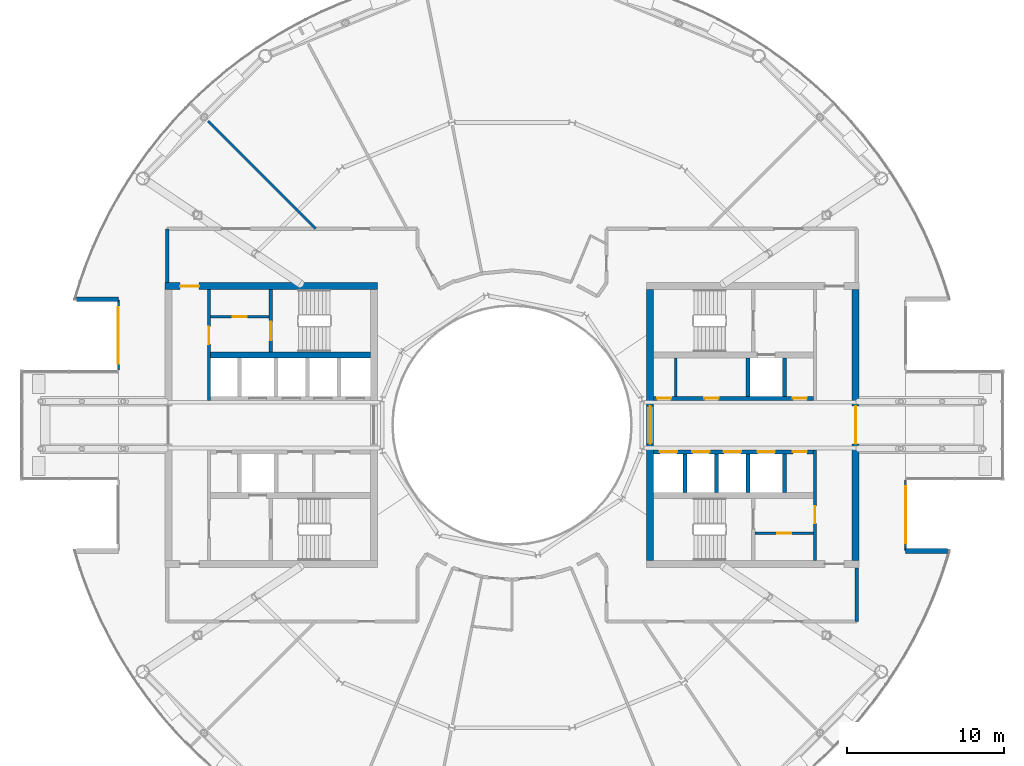
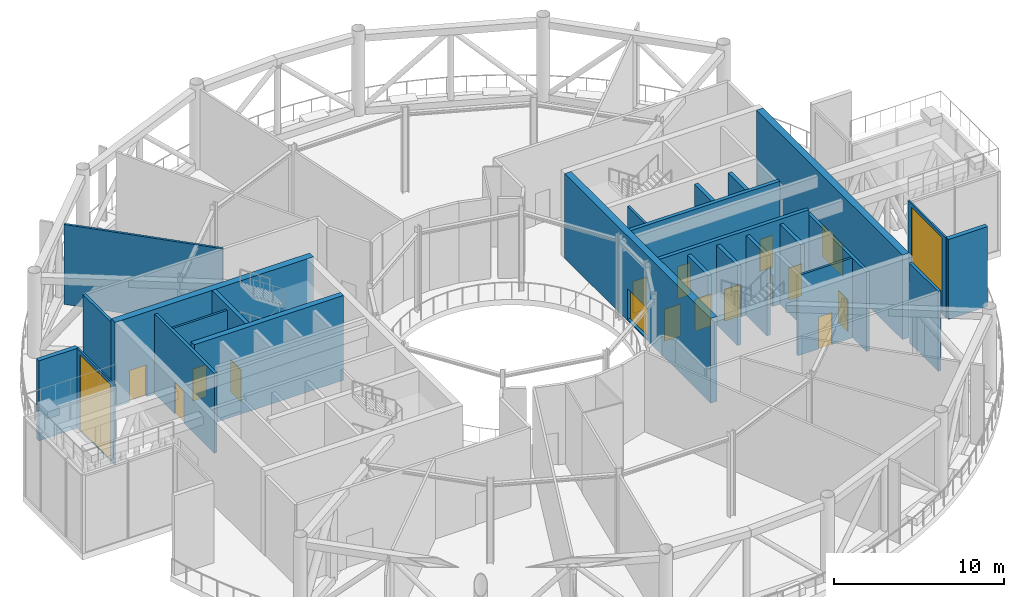
# One storey, part 14 of 24: 25 walls, 15 doors, 3 windows, 18 openings.
"""IFC4 building model written with IfcOpenShell, lengths in metres."""

import ifcopenshell
import ifcopenshell.guid

model = None  # the IFC model being written
_history = None  # IfcOwnerHistory: only IFC2X3 demands one
_inside = {}  # id of a spatial element -> (the spatial element, [elements in it])
_under = {}  # id of a project, library or spatial element -> (it, [spatial elements below it])
_declared = {}  # id of a project -> (the project, [libraries it declares])
_typed = {}  # id of a type object -> (the type object, [elements of that type])
_made_of = {}  # id of a material, layer set ... -> (it, [elements and type objects made of it])


def new_model(schema):
    """Start an empty IFC model of exactly this schema.

    Asked for "IFC4X3", IfcOpenShell would pick the latest addendum, in which some entities
    have other attributes; the version numbers below select the first issue.
    IFC2X3 requires an IfcOwnerHistory on every rooted entity: one is made here for all.
    """
    global model, _history
    if schema == "IFC4X3":
        model = ifcopenshell.file(schema_version=(4, 3, 0, 0))
    else:
        model = ifcopenshell.file(schema=schema)
    _inside.clear()
    _under.clear()
    _declared.clear()
    _typed.clear()
    _made_of.clear()
    _history = None
    if model.schema == "IFC2X3":
        org = make("IfcOrganization", Name="unknown")
        user = make(
            "IfcPersonAndOrganization",
            ThePerson=make("IfcPerson", FamilyName="unknown"),
            TheOrganization=org,
        )
        app = make(
            "IfcApplication",
            ApplicationDeveloper=org,
            Version="unknown",
            ApplicationFullName="unknown",
            ApplicationIdentifier="unknown",
        )
        _history = make(
            "IfcOwnerHistory",
            OwningUser=user,
            OwningApplication=app,
            ChangeAction="ADDED",
            CreationDate=0,
        )
    return model


def make(cls, **values):
    """One entity of the class cls with the attributes given. An attribute that is None is left unset."""
    return model.create_entity(
        cls, **{name: value for name, value in values.items() if value is not None}
    )


def rooted(cls, **values):
    """An entity with a GlobalId (a new one), such as an element, a storey or a relation."""
    return make(cls, GlobalId=ifcopenshell.guid.new(), OwnerHistory=_history, **values)


def si_unit(unit_type, name, prefix=None):
    """IfcSIUnit, for example si_unit("LENGTHUNIT", "METRE", prefix="MILLI")."""
    return make("IfcSIUnit", UnitType=unit_type, Prefix=prefix, Name=name)


def assignment(units):
    """IfcUnitAssignment: the units of a project."""
    return None if units is None else make("IfcUnitAssignment", Units=units)


def point(xyz):
    """IfcCartesianPoint."""
    return None if xyz is None else make("IfcCartesianPoint", Coordinates=xyz)


def direction(xyz):
    """IfcDirection."""
    return None if xyz is None else make("IfcDirection", DirectionRatios=xyz)


def frame(location, z_axis=None, x_axis=None):
    """IfcAxis2Placement3D, a coordinate frame: its origin and axes. An axis left out is left unset."""
    return make(
        "IfcAxis2Placement3D",
        Location=point(location),
        Axis=direction(z_axis),
        RefDirection=direction(x_axis),
    )


def frame_2d(location, x_axis=None):
    """IfcAxis2Placement2D, a coordinate frame in the plane: its origin and x axis."""
    return make(
        "IfcAxis2Placement2D", Location=point(location), RefDirection=direction(x_axis)
    )


def origin():
    """The frame at (0, 0, 0) with its axes left unset."""
    return frame((0.0, 0.0, 0.0))


def place(relative_to, where):
    """IfcLocalPlacement: puts the frame where relative to a parent placement (None: the world)."""
    return make(
        "IfcLocalPlacement", PlacementRelTo=relative_to, RelativePlacement=where
    )


def context(
    kind, dimensions, precision=None, world=None, true_north=None, identifier=None
):
    """IfcGeometricRepresentationContext, for example the 3D "Model" context."""
    return make(
        "IfcGeometricRepresentationContext",
        ContextIdentifier=identifier,
        ContextType=kind,
        CoordinateSpaceDimension=dimensions,
        Precision=precision,
        WorldCoordinateSystem=world,
        TrueNorth=true_north,
    )


def subcontext(parent, identifier, kind, view, scale=None):
    """IfcGeometricRepresentationSubContext, for example "Body" below "Model"."""
    return make(
        "IfcGeometricRepresentationSubContext",
        ContextIdentifier=identifier,
        ContextType=kind,
        ParentContext=parent,
        TargetScale=scale,
        TargetView=view,
    )


def project(units=None, contexts=None):
    """IfcProject with its units and contexts."""
    return rooted(
        "IfcProject",
        Name="project",
        RepresentationContexts=contexts,
        UnitsInContext=assignment(units),
    )


def spatial(cls, under=None, at=None, **own):
    """A site, building, storey or space (cls), placed at a placement, below another one or the project."""
    s = rooted(cls, ObjectPlacement=at, **own)
    if under is not None:
        _under.setdefault(under.id(), (under, []))[1].append(s)
    return s


def profile(cls, at=None, kind="AREA", **sizes):
    """A parametric profile (cls). Its sizes go by their IFC names, for example OverallWidth=200.0."""
    return make(cls, ProfileType=kind, Position=at, **sizes)


def rectangle(**sizes):
    """IfcRectangleProfileDef."""
    return profile("IfcRectangleProfileDef", **sizes)


def extrude(swept, where, along, depth):
    """IfcExtrudedAreaSolid: the profile swept, set in the frame where, extruded along a direction by depth."""
    return make(
        "IfcExtrudedAreaSolid",
        SweptArea=swept,
        Position=where,
        ExtrudedDirection=direction(along),
        Depth=depth,
    )


def shape(context_of_items, identifier, shape_type, items):
    """IfcShapeRepresentation: the items that make up one representation, for example the "Body"."""
    return make(
        "IfcShapeRepresentation",
        ContextOfItems=context_of_items,
        RepresentationIdentifier=identifier,
        RepresentationType=shape_type,
        Items=items,
    )


def material(Name=None, Category=None):
    """IfcMaterial."""
    return make("IfcMaterial", Name=Name, Category=Category)


def layer(
    of_material, thickness, ventilated=None, Name=None, Category=None, Priority=None
):
    """IfcMaterialLayer: one layer of a wall or slab, of a material (None: an air gap)."""
    return make(
        "IfcMaterialLayer",
        Material=of_material,
        LayerThickness=thickness,
        IsVentilated=ventilated,
        Name=Name,
        Category=Category,
        Priority=Priority,
    )


def layer_set(layers, Name=None):
    """IfcMaterialLayerSet."""
    return make("IfcMaterialLayerSet", MaterialLayers=layers, LayerSetName=Name)


def made_of(thing, what):
    """Note that an element or type object is made of a material, layer set ...; save() writes the relation."""
    if what is not None:
        _made_of.setdefault(what.id(), (what, []))[1].append(thing)
    return thing


def type_object(cls, material=None, **own):
    """A type object (cls), such as IfcWallType, which elements share."""
    return made_of(rooted(cls, **own), material)


def element(
    cls,
    number,
    at=None,
    inside=None,
    cuts=None,
    type_object=None,
    material=None,
    context=None,
    identifier="Body",
    shape_type=None,
    held_by="IfcProductDefinitionShape",
    body=None,
    shapes=None,
    **own,
):
    """One element of the class cls, such as IfcWall. Its Tag is "e" and its number.

    at: its placement. inside: the storey or other place that contains it. cuts: it is an
    opening in that element (IfcRelVoidsElement). A single representation is given by context,
    identifier, shape_type and body (its items); several are given by shapes. held_by: the class
    of the entity that holds the representations. save() writes the other relations.
    """
    e = rooted(cls, Tag="e%d" % number, ObjectPlacement=at, **own)
    if body is not None:
        shapes = [shape(context, identifier, shape_type, body)]
    if shapes is not None:
        e.Representation = make(held_by, Representations=shapes)
    if inside is not None:
        _inside.setdefault(inside.id(), (inside, []))[1].append(e)
    if cuts is not None:
        rooted(
            "IfcRelVoidsElement", RelatingBuildingElement=cuts, RelatedOpeningElement=e
        )
    if type_object is not None:
        _typed.setdefault(type_object.id(), (type_object, []))[1].append(e)
    return made_of(e, material)


def fill(opening, filler):
    """IfcRelFillsElement: the door or window that sits in an opening."""
    return rooted(
        "IfcRelFillsElement",
        RelatingOpeningElement=opening,
        RelatedBuildingElement=filler,
    )


def aggregate(whole, parts):
    """IfcRelAggregates: a whole, such as a stair, and the parts it consists of."""
    return rooted("IfcRelAggregates", RelatingObject=whole, RelatedObjects=parts)


def save(model, path):
    """Write the relations noted so far, then the file.

    IfcRelAggregates (storeys below a building ...), IfcRelContainedInSpatialStructure (elements
    in a storey), IfcRelDefinesByType, IfcRelAssociatesMaterial and IfcRelDeclares: one each for
    every whole, place, type object, material and project.
    """
    for whole, parts in _under.values():
        aggregate(whole, parts)
    for where, things in _inside.values():
        rooted(
            "IfcRelContainedInSpatialStructure",
            RelatedElements=things,
            RelatingStructure=where,
        )
    for kind, things in _typed.values():
        rooted("IfcRelDefinesByType", RelatedObjects=things, RelatingType=kind)
    for what, things in _made_of.values():
        rooted("IfcRelAssociatesMaterial", RelatedObjects=things, RelatingMaterial=what)
    for by, libraries in _declared.values():
        rooted("IfcRelDeclares", RelatingContext=by, RelatedDefinitions=libraries)
    model.write(path)


model = new_model("IFC4")

# Units and contexts
model_context = context("Model", 3, precision=1e-05, world=origin(), true_north=direction((0.0, 1.0)))
body_context = subcontext(model_context, "Body", "Model", "MODEL_VIEW")
ifc_project = project(units=[si_unit("LENGTHUNIT", "METRE"), si_unit("AREAUNIT", "SQUARE_METRE"), si_unit("VOLUMEUNIT", "CUBIC_METRE"), si_unit("PLANEANGLEUNIT", "RADIAN"), si_unit("MASSUNIT", "GRAM", prefix="KILO")], contexts=[model_context])

# Site, building, storey
site_placement = place(None, origin())
site = spatial("IfcSite", under=ifc_project, at=site_placement, CompositionType="ELEMENT")
building_placement = place(site_placement, origin())
building = spatial("IfcBuilding", under=site, at=building_placement, Name="Maasbend Ring Residences", CompositionType="ELEMENT")
storey_placement = place(building_placement, frame((0.0, 0.0, 221.85009765625)))
storey = spatial("IfcBuildingStorey", under=building, at=storey_placement, Name="L64", CompositionType="ELEMENT", Elevation=221.85009765625)

# Wall, openings, doors
ifc_material_1 = material(Name="Concrete C50/60", Category="concrete")
ifc_layer_1 = layer(ifc_material_1, 0.25)
ifc_layer_set_1 = layer_set([ifc_layer_1], Name="Concrete C50/60")
wall_type_1 = type_object("IfcWallType", Name="CORE WALL 250 C50/60", PredefinedType="SHEAR", material=ifc_layer_set_1)
wall_1_placement = place(storey_placement, frame((9.0, 1.699951171875, 0.0), z_axis=(0.0, 0.0, 1.0), x_axis=(1.0, 0.0, 0.0)))
wall_1 = element("IfcWall", 1, at=wall_1_placement, inside=storey, type_object=wall_type_1, Name="L64 core E wall SPN", PredefinedType="SHEAR", context=body_context, shape_type="SweptSolid", body=[
    extrude(rectangle(XDim=10.14990234375, YDim=0.25, at=frame_2d((5.074951171875, 0.0))), origin(), (0.0, 0.0, 1.0), 6.099853515625),
])
opening_1_placement = place(wall_1_placement, frame((0.21240234375, 0.0, 0.0)))
opening_1 = element("IfcOpeningElement", 2, at=opening_1_placement, cuts=wall_1, Name="Opening D-E6406", PredefinedType="OPENING", context=body_context, shape_type="SweptSolid", body=[
    extrude(rectangle(XDim=0.89990234375, YDim=2.300048828125, at=frame_2d((0.449951171875, 1.14990234375))), frame((0.0, 0.135009765625, 0.0), z_axis=(0.0, -1.0, 0.0), x_axis=(1.0, 0.0, 0.0)), (0.0, 0.0, 1.0), 0.27001953125),
])
opening_2_placement = place(wall_1_placement, frame((3.22509765625, 0.0, 0.0)))
opening_2 = element("IfcOpeningElement", 3, at=opening_2_placement, cuts=wall_1, Name="Opening D-E6407", PredefinedType="OPENING", context=body_context, shape_type="SweptSolid", body=[
    extrude(rectangle(XDim=0.89990234375, YDim=2.300048828125, at=frame_2d((0.449951171875, 1.14990234375))), frame((0.0, 0.135009765625, 0.0), z_axis=(0.0, -1.0, 0.0), x_axis=(1.0, 0.0, 0.0)), (0.0, 0.0, 1.0), 0.27001953125),
])
opening_3_placement = place(wall_1_placement, frame((8.83740234375, 0.0, 0.0)))
opening_3 = element("IfcOpeningElement", 4, at=opening_3_placement, cuts=wall_1, Name="Opening D-E6408", PredefinedType="OPENING", context=body_context, shape_type="SweptSolid", body=[
    extrude(rectangle(XDim=0.89990234375, YDim=2.300048828125, at=frame_2d((0.449951171875, 1.14990234375))), frame((0.0, 0.135009765625, 0.0), z_axis=(0.0, -1.0, 0.0), x_axis=(1.0, 0.0, 0.0)), (0.0, 0.0, 1.0), 0.27001953125),
])
ifc_material_2 = material(Name="Steel, powder coated", Category="steel")
door_type_1 = type_object("IfcDoorType", Name="ROOM DOOR 900 X 2300 FD30S", OperationType="NOTDEFINED", PredefinedType="DOOR", material=ifc_material_2)
door_1_placement = place(opening_1_placement, origin())
door_1 = element("IfcDoor", 5, at=door_1_placement, inside=storey, type_object=door_type_1, Name="Room door L64", OperationType="SINGLE_SWING_RIGHT", OverallHeight=2.300048828125, OverallWidth=0.89990234375, PredefinedType="DOOR", context=body_context, shape_type="SweptSolid", body=[
    extrude(rectangle(XDim=0.89990234375, YDim=2.300048828125, at=frame_2d((0.449951171875, 1.14990234375))), frame((0.0, 0.02490234375, 0.0), z_axis=(0.0, -1.0, 0.0), x_axis=(1.0, 0.0, 0.0)), (0.0, 0.0, 1.0), 0.050048828125),
])
fill(opening_1, door_1)
door_2_placement = place(opening_2_placement, origin())
door_2 = element("IfcDoor", 6, at=door_2_placement, inside=storey, type_object=door_type_1, Name="Room door L64", OperationType="SINGLE_SWING_RIGHT", OverallHeight=2.300048828125, OverallWidth=0.89990234375, PredefinedType="DOOR", context=body_context, shape_type="SweptSolid", body=[
    extrude(rectangle(XDim=0.89990234375, YDim=2.300048828125, at=frame_2d((0.449951171875, 1.14990234375))), frame((0.0, 0.02490234375, 0.0), z_axis=(0.0, -1.0, 0.0), x_axis=(1.0, 0.0, 0.0)), (0.0, 0.0, 1.0), 0.050048828125),
])
fill(opening_2, door_2)
door_3_placement = place(opening_3_placement, origin())
door_3 = element("IfcDoor", 7, at=door_3_placement, inside=storey, type_object=door_type_1, Name="Room door L64", OperationType="SINGLE_SWING_LEFT", OverallHeight=2.300048828125, OverallWidth=0.89990234375, PredefinedType="DOOR", context=body_context, shape_type="SweptSolid", body=[
    extrude(rectangle(XDim=0.89990234375, YDim=2.300048828125, at=frame_2d((0.449951171875, 1.14990234375))), frame((0.0, 0.02490234375, 0.0), z_axis=(0.0, -1.0, 0.0), x_axis=(1.0, 0.0, 0.0)), (0.0, 0.0, 1.0), 0.050048828125),
])
fill(opening_3, door_3)

wall_2_placement = place(storey_placement, frame((19.14990234375, -1.699951171875, 0.0), z_axis=(0.0, 0.0, 1.0), x_axis=(-1.0, 0.0, 0.0)))
wall_2 = element("IfcWall", 8, at=wall_2_placement, inside=storey, type_object=wall_type_1, Name="L64 core E wall SPS", PredefinedType="SHEAR", context=body_context, shape_type="SweptSolid", body=[
    extrude(rectangle(XDim=10.14990234375, YDim=0.25, at=frame_2d((5.074951171875, 0.0))), origin(), (0.0, 0.0, 1.0), 6.099853515625),
])
opening_4_placement = place(wall_2_placement, frame((8.66259765625, 0.0, 0.0)))
opening_4 = element("IfcOpeningElement", 9, at=opening_4_placement, cuts=wall_2, Name="Opening LD-E6402", PredefinedType="OPENING", context=body_context, shape_type="SweptSolid", body=[
    extrude(rectangle(XDim=1.10009765625, YDim=2.300048828125, at=frame_2d((0.550048828125, 1.14990234375))), frame((0.0, 0.135009765625, 0.0), z_axis=(0.0, -1.0, 0.0), x_axis=(1.0, 0.0, 0.0)), (0.0, 0.0, 1.0), 0.27001953125),
])
opening_5_placement = place(wall_2_placement, frame((6.60009765625, 0.0, 0.0)))
opening_5 = element("IfcOpeningElement", 10, at=opening_5_placement, cuts=wall_2, Name="Opening LD-E6403", PredefinedType="OPENING", context=body_context, shape_type="SweptSolid", body=[
    extrude(rectangle(XDim=1.10009765625, YDim=2.300048828125, at=frame_2d((0.550048828125, 1.14990234375))), frame((0.0, 0.135009765625, 0.0), z_axis=(0.0, -1.0, 0.0), x_axis=(1.0, 0.0, 0.0)), (0.0, 0.0, 1.0), 0.27001953125),
])
opening_6_placement = place(wall_2_placement, frame((4.60009765625, 0.0, 0.0)))
opening_6 = element("IfcOpeningElement", 11, at=opening_6_placement, cuts=wall_2, Name="Opening LD-E6404", PredefinedType="OPENING", context=body_context, shape_type="SweptSolid", body=[
    extrude(rectangle(XDim=1.10009765625, YDim=2.300048828125, at=frame_2d((0.550048828125, 1.14990234375))), frame((0.0, 0.135009765625, 0.0), z_axis=(0.0, -1.0, 0.0), x_axis=(1.0, 0.0, 0.0)), (0.0, 0.0, 1.0), 0.27001953125),
])
opening_7_placement = place(wall_2_placement, frame((2.449951171875, 0.0, 0.0)))
opening_7 = element("IfcOpeningElement", 12, at=opening_7_placement, cuts=wall_2, Name="Opening LD-E6405", PredefinedType="OPENING", context=body_context, shape_type="SweptSolid", body=[
    extrude(rectangle(XDim=1.10009765625, YDim=2.300048828125, at=frame_2d((0.550048828125, 1.14990234375))), frame((0.0, 0.135009765625, 0.0), z_axis=(0.0, -1.0, 0.0), x_axis=(1.0, 0.0, 0.0)), (0.0, 0.0, 1.0), 0.27001953125),
])
opening_8_placement = place(wall_2_placement, frame((0.41259765625, 0.0, 0.0)))
opening_8 = element("IfcOpeningElement", 13, at=opening_8_placement, cuts=wall_2, Name="Opening D-E6409", PredefinedType="OPENING", context=body_context, shape_type="SweptSolid", body=[
    extrude(rectangle(XDim=0.89990234375, YDim=2.300048828125, at=frame_2d((0.449951171875, 1.14990234375))), frame((0.0, 0.135009765625, 0.0), z_axis=(0.0, -1.0, 0.0), x_axis=(1.0, 0.0, 0.0)), (0.0, 0.0, 1.0), 0.27001953125),
])
ifc_material_3 = material(Name="Stainless steel 316", Category="steel")
door_type_2 = type_object("IfcDoorType", Name="LANDING DOOR 1100 X 2300 FD60", OperationType="DOUBLE_DOOR_SLIDING", PredefinedType="DOOR", material=ifc_material_3)
door_4_placement = place(opening_4_placement, origin())
door_4 = element("IfcDoor", 14, at=door_4_placement, inside=storey, type_object=door_type_2, Name="Landing door HR-E1 L64", OperationType="DOUBLE_DOOR_SLIDING", OverallHeight=2.300048828125, OverallWidth=1.10009765625, PredefinedType="DOOR", context=body_context, shape_type="SweptSolid", body=[
    extrude(rectangle(XDim=1.10009765625, YDim=2.300048828125, at=frame_2d((0.550048828125, 1.14990234375))), frame((0.0, 0.02490234375, 0.0), z_axis=(0.0, -1.0, 0.0), x_axis=(1.0, 0.0, 0.0)), (0.0, 0.0, 1.0), 0.050048828125),
])
fill(opening_4, door_4)
door_5_placement = place(opening_5_placement, origin())
door_5 = element("IfcDoor", 15, at=door_5_placement, inside=storey, type_object=door_type_2, Name="Landing door HR-E2 L64", OperationType="DOUBLE_DOOR_SLIDING", OverallHeight=2.300048828125, OverallWidth=1.10009765625, PredefinedType="DOOR", context=body_context, shape_type="SweptSolid", body=[
    extrude(rectangle(XDim=1.10009765625, YDim=2.300048828125, at=frame_2d((0.550048828125, 1.14990234375))), frame((0.0, 0.02490234375, 0.0), z_axis=(0.0, -1.0, 0.0), x_axis=(1.0, 0.0, 0.0)), (0.0, 0.0, 1.0), 0.050048828125),
])
fill(opening_5, door_5)
door_6_placement = place(opening_6_placement, origin())
door_6 = element("IfcDoor", 16, at=door_6_placement, inside=storey, type_object=door_type_2, Name="Landing door HR-E3 L64", OperationType="DOUBLE_DOOR_SLIDING", OverallHeight=2.300048828125, OverallWidth=1.10009765625, PredefinedType="DOOR", context=body_context, shape_type="SweptSolid", body=[
    extrude(rectangle(XDim=1.10009765625, YDim=2.300048828125, at=frame_2d((0.550048828125, 1.14990234375))), frame((0.0, 0.02490234375, 0.0), z_axis=(0.0, -1.0, 0.0), x_axis=(1.0, 0.0, 0.0)), (0.0, 0.0, 1.0), 0.050048828125),
])
fill(opening_6, door_6)
door_7_placement = place(opening_7_placement, origin())
door_7 = element("IfcDoor", 17, at=door_7_placement, inside=storey, type_object=door_type_2, Name="Landing door SV-E L64", OperationType="DOUBLE_DOOR_SLIDING", OverallHeight=2.300048828125, OverallWidth=1.10009765625, PredefinedType="DOOR", context=body_context, shape_type="SweptSolid", body=[
    extrude(rectangle(XDim=1.10009765625, YDim=2.300048828125, at=frame_2d((0.550048828125, 1.14990234375))), frame((0.0, 0.02490234375, 0.0), z_axis=(0.0, -1.0, 0.0), x_axis=(1.0, 0.0, 0.0)), (0.0, 0.0, 1.0), 0.050048828125),
])
fill(opening_7, door_7)
door_8_placement = place(opening_8_placement, origin())
door_8 = element("IfcDoor", 18, at=door_8_placement, inside=storey, type_object=door_type_1, Name="Room door L64", OperationType="SINGLE_SWING_RIGHT", OverallHeight=2.300048828125, OverallWidth=0.89990234375, PredefinedType="DOOR", context=body_context, shape_type="SweptSolid", body=[
    extrude(rectangle(XDim=0.89990234375, YDim=2.300048828125, at=frame_2d((0.449951171875, 1.14990234375))), frame((0.0, 0.02490234375, 0.0), z_axis=(0.0, -1.0, 0.0), x_axis=(1.0, 0.0, 0.0)), (0.0, 0.0, 1.0), 0.050048828125),
])
fill(opening_8, door_8)

# Wall, opening, door
wall_3_placement = place(storey_placement, frame((-15.324951171875, 8.60009765625, 0.0), z_axis=(0.0, 0.0, 1.0), x_axis=(0.0, -1.0, 0.0)))
wall_3 = element("IfcWall", 19, at=wall_3_placement, inside=storey, type_object=wall_type_1, Name="L64 core W wall STES", PredefinedType="SHEAR", context=body_context, shape_type="SweptSolid", body=[
    extrude(rectangle(XDim=3.9501953125, YDim=0.25, at=frame_2d((1.97509765625, 0.0))), origin(), (0.0, 0.0, 1.0), 6.099853515625),
])
opening_9_placement = place(wall_3_placement, frame((2.02490234375, 0.0, 0.0)))
opening_9 = element("IfcOpeningElement", 20, at=opening_9_placement, cuts=wall_3, Name="Opening D-W6411", PredefinedType="OPENING", context=body_context, shape_type="SweptSolid", body=[
    extrude(rectangle(XDim=1.199951171875, YDim=2.300048828125, at=frame_2d((0.60009765625, 1.14990234375))), frame((0.0, 0.135009765625, 0.0), z_axis=(0.0, -1.0, 0.0), x_axis=(1.0, 0.0, 0.0)), (0.0, 0.0, 1.0), 0.27001953125),
])
ifc_material_4 = material(Name="Steel, powder coated", Category="steel")
door_type_3 = type_object("IfcDoorType", Name="STAIR DOOR 1200 X 2300 FD60", OperationType="NOTDEFINED", PredefinedType="DOOR", material=ifc_material_4)
door_9_placement = place(opening_9_placement, origin())
door_9 = element("IfcDoor", 21, at=door_9_placement, inside=storey, type_object=door_type_3, Name="Stair door ST-W L64", OperationType="SINGLE_SWING_LEFT", OverallHeight=2.300048828125, OverallWidth=1.199951171875, PredefinedType="DOOR", context=body_context, shape_type="SweptSolid", body=[
    extrude(rectangle(XDim=1.199951171875, YDim=2.300048828125, at=frame_2d((0.60009765625, 1.14990234375))), frame((0.0, 0.02490234375, 0.0), z_axis=(0.0, -1.0, 0.0), x_axis=(1.0, 0.0, 0.0)), (0.0, 0.0, 1.0), 0.050048828125),
])
fill(opening_9, door_9)

# Wall
ifc_material_5 = material(Name="Concrete C50/60", Category="concrete")
ifc_layer_2 = layer(ifc_material_5, 0.375)
ifc_layer_set_2 = layer_set([ifc_layer_2], Name="Concrete C50/60")
wall_type_2 = type_object("IfcWallType", Name="CORE WALL 375 C50/60", PredefinedType="SHEAR", material=ifc_layer_set_2)
wall_4_placement = place(storey_placement, frame((-9.0, 4.46240234375, 0.0), z_axis=(0.0, 0.0, 1.0), x_axis=(-1.0, 0.0, 0.0)))
element("IfcWall", 22, at=wall_4_placement, inside=storey, type_object=wall_type_2, Name="L64 core W wall BS", PredefinedType="SHEAR", context=body_context, shape_type="SweptSolid", body=[
    extrude(rectangle(XDim=10.14990234375, YDim=0.375, at=frame_2d((5.074951171875, 0.0))), origin(), (0.0, 0.0, 1.0), 6.099853515625),
])

# Wall, opening, door
ifc_material_6 = material(Name="Concrete C50/60", Category="concrete")
ifc_layer_3 = layer(ifc_material_6, 0.449951171875)
ifc_layer_set_3 = layer_set([ifc_layer_3], Name="Concrete C50/60")
wall_type_3 = type_object("IfcWallType", Name="CORE WALL 450 C50/60", PredefinedType="SHEAR", material=ifc_layer_set_3)
wall_5_placement = place(storey_placement, frame((21.824951171875, 8.60009765625, 0.0), z_axis=(0.0, 0.0, 1.0), x_axis=(0.0, -1.0, 0.0)))
wall_5 = element("IfcWall", 23, at=wall_5_placement, inside=storey, type_object=wall_type_3, Name="L64 core E wall POUT", PredefinedType="SHEAR", context=body_context, shape_type="SweptSolid", body=[
    extrude(rectangle(XDim=17.2001953125, YDim=0.449951171875, at=frame_2d((8.60009765625, 0.0))), origin(), (0.0, 0.0, 1.0), 6.099853515625),
])
opening_10_placement = place(wall_5_placement, frame((7.39990234375, 0.0, 0.0)))
opening_10 = element("IfcOpeningElement", 24, at=opening_10_placement, cuts=wall_5, Name="Opening D-E6417", PredefinedType="OPENING", context=body_context, shape_type="SweptSolid", body=[
    extrude(rectangle(XDim=2.39990234375, YDim=2.300048828125, at=frame_2d((1.199951171875, 1.14990234375))), frame((0.0, 0.23486328125, 0.0), z_axis=(0.0, -1.0, 0.0), x_axis=(1.0, 0.0, 0.0)), (0.0, 0.0, 1.0), 0.469970703125),
])
ifc_material_7 = material(Name="Aluminium frame, clear glass", Category="aluminium")
door_type_4 = type_object("IfcDoorType", Name="ENTRANCE DOOR 2400 X 2300 FD60", OperationType="NOTDEFINED", PredefinedType="DOOR", material=ifc_material_7)
door_10_placement = place(opening_10_placement, origin())
door_10 = element("IfcDoor", 25, at=door_10_placement, inside=storey, type_object=door_type_4, Name="Lobby glazed door L64", OperationType="SINGLE_SWING_LEFT", OverallHeight=2.300048828125, OverallWidth=2.39990234375, PredefinedType="DOOR", context=body_context, shape_type="SweptSolid", body=[
    extrude(rectangle(XDim=2.39990234375, YDim=2.300048828125, at=frame_2d((1.199951171875, 1.14990234375))), frame((0.0, 0.02490234375, 0.0), z_axis=(0.0, -1.0, 0.0), x_axis=(1.0, 0.0, 0.0)), (0.0, 0.0, 1.0), 0.050048828125),
])
fill(opening_10, door_10)

# Wall, opening, window
wall_6_placement = place(storey_placement, frame((8.77490234375, -8.60009765625, 0.0), z_axis=(0.0, 0.0, 1.0), x_axis=(0.0, 1.0, 0.0)))
wall_6 = element("IfcWall", 26, at=wall_6_placement, inside=storey, type_object=wall_type_3, Name="L64 core E wall PIN", PredefinedType="SHEAR", context=body_context, shape_type="SweptSolid", body=[
    extrude(rectangle(XDim=17.2001953125, YDim=0.449951171875, at=frame_2d((8.60009765625, 0.0))), origin(), (0.0, 0.0, 1.0), 6.099853515625),
])
opening_11_placement = place(wall_6_placement, frame((7.39990234375, 0.0, 0.10009765625)))
opening_11 = element("IfcOpeningElement", 27, at=opening_11_placement, cuts=wall_6, Name="Opening W-E6401", PredefinedType="OPENING", context=body_context, shape_type="SweptSolid", body=[
    extrude(rectangle(XDim=2.39990234375, YDim=2.199951171875, at=frame_2d((1.199951171875, 1.10009765625))), frame((0.0, 0.23486328125, 0.0), z_axis=(0.0, -1.0, 0.0), x_axis=(1.0, 0.0, 0.0)), (0.0, 0.0, 1.0), 0.469970703125),
])
ifc_material_8 = material(Name="Aluminium frame and clear glass", Category="aluminium")
window_type_1 = type_object("IfcWindowType", Name="FIXED WINDOW 2400 X 2200", PartitioningType="SINGLE_PANEL", PredefinedType="WINDOW", material=ifc_material_8)
window_1_placement = place(opening_11_placement, origin())
window_1 = element("IfcWindow", 28, at=window_1_placement, inside=storey, type_object=window_type_1, Name="Lobby window L64", OverallHeight=2.199951171875, OverallWidth=2.39990234375, PartitioningType="SINGLE_PANEL", PredefinedType="WINDOW", context=body_context, shape_type="SweptSolid", body=[
    extrude(rectangle(XDim=2.39990234375, YDim=2.199951171875, at=frame_2d((1.199951171875, 1.10009765625))), frame((0.0, 0.030029296875, 0.0), z_axis=(0.0, -1.0, 0.0), x_axis=(1.0, 0.0, 0.0)), (0.0, 0.0, 1.0), 0.06005859375),
])
fill(opening_11, window_1)

# Wall, opening, door
wall_7_placement = place(storey_placement, frame((-8.550048828125, 8.824951171875, 0.0), z_axis=(0.0, 0.0, 1.0), x_axis=(-1.0, 0.0, 0.0)))
wall_7 = element("IfcWall", 29, at=wall_7_placement, inside=storey, type_object=wall_type_3, Name="L64 core W wall PS", PredefinedType="SHEAR", context=body_context, shape_type="SweptSolid", body=[
    extrude(rectangle(XDim=13.5, YDim=0.449951171875, at=frame_2d((6.75, 0.0))), origin(), (0.0, 0.0, 1.0), 6.099853515625),
])
opening_12_placement = place(wall_7_placement, frame((11.324951171875, 0.0, 0.0)))
opening_12 = element("IfcOpeningElement", 30, at=opening_12_placement, cuts=wall_7, Name="Opening D-W6415", PredefinedType="OPENING", context=body_context, shape_type="SweptSolid", body=[
    extrude(rectangle(XDim=1.199951171875, YDim=2.300048828125, at=frame_2d((0.60009765625, 1.14990234375))), frame((0.0, 0.23486328125, 0.0), z_axis=(0.0, -1.0, 0.0), x_axis=(1.0, 0.0, 0.0)), (0.0, 0.0, 1.0), 0.469970703125),
])
ifc_material_9 = material(Name="Steel, powder coated", Category="steel")
door_type_5 = type_object("IfcDoorType", Name="CORRIDOR DOOR 1200 X 2300 FD30S", OperationType="NOTDEFINED", PredefinedType="DOOR", material=ifc_material_9)
door_11_placement = place(opening_12_placement, origin())
door_11 = element("IfcDoor", 31, at=door_11_placement, inside=storey, type_object=door_type_5, Name="Corridor door L64", OperationType="SINGLE_SWING_LEFT", OverallHeight=2.300048828125, OverallWidth=1.199951171875, PredefinedType="DOOR", context=body_context, shape_type="SweptSolid", body=[
    extrude(rectangle(XDim=1.199951171875, YDim=2.300048828125, at=frame_2d((0.60009765625, 1.14990234375))), frame((0.0, 0.02490234375, 0.0), z_axis=(0.0, -1.0, 0.0), x_axis=(1.0, 0.0, 0.0)), (0.0, 0.0, 1.0), 0.050048828125),
])
fill(opening_12, door_11)

# Walls
ifc_material_10 = material(Name="Concrete C30/37", Category="concrete")
ifc_layer_4 = layer(ifc_material_10, 0.199951171875)
ifc_layer_set_4 = layer_set([ifc_layer_4], Name="Concrete C30/37")
wall_type_4 = type_object("IfcWallType", Name="CORRIDOR WALL 200 CONCRETE", PredefinedType="PARTITIONING", material=ifc_layer_set_4)
for number, where, z_axis, x_axis, name in (
    (32, (21.89990234375, -12.469970703125, 0.0), (0.0, 0.0, 1.0), (0.0, 1.0, 0.0), "U-L64-w001"),
    (33, (-21.89990234375, 9.070068359375, 0.0), (0.0, 0.0, 1.0), (0.0, 1.0, 0.0), "U-L64-w053"),
):
    element("IfcWall", number, at=place(storey_placement, frame(where, z_axis=z_axis, x_axis=x_axis)), inside=storey, type_object=wall_type_4, Name=name, PredefinedType="PARTITIONING", context=body_context, shape_type="SweptSolid", body=[
        extrude(rectangle(XDim=3.39990234375, YDim=0.199951171875, at=frame_2d((1.699951171875, 0.0))), origin(), (0.0, 0.0, 1.0), 5.75),
    ])
ifc_material_11 = material(Name="Aluminium clad insulated panel", Category="aluminium")
ifc_layer_5 = layer(ifc_material_11, 0.300048828125)
ifc_layer_set_5 = layer_set([ifc_layer_5], Name="EW-RET")
wall_type_5 = type_object("IfcWallType", Name="EW-RET", PredefinedType="SOLIDWALL", material=ifc_layer_set_5)
for number, where, z_axis, x_axis, name in (
    (34, (25.0, -8.0, 0.0), (0.0, 0.0, 1.0), (1.0, 0.0, 0.0), "Notch return wall east south"),
    (35, (-25.0, 8.0, 0.0), (0.0, 0.0, 1.0), (-1.0, 0.0, 0.0), "Notch return wall west north"),
):
    element("IfcWall", number, at=place(storey_placement, frame(where, z_axis=z_axis, x_axis=x_axis)), inside=storey, type_object=wall_type_5, Name=name, PredefinedType="SOLIDWALL", context=body_context, shape_type="SweptSolid", body=[
        extrude(rectangle(XDim=2.6669921875, YDim=0.300048828125, at=frame_2d((1.33349609375, 0.0))), origin(), (0.0, 0.0, 1.0), 5.75),
    ])

# Wall, opening, window
ifc_material_12 = material(Name="Aluminium frame and clear glass", Category="aluminium")
ifc_layer_6 = layer(ifc_material_12, 0.1201171875)
ifc_layer_set_6 = layer_set([ifc_layer_6], Name="GLAZED SCREEN WALL 120 EI 60")
wall_type_6 = type_object("IfcWallType", Name="GLAZED SCREEN WALL 120 EI 60", PredefinedType="PARTITIONING", material=ifc_layer_set_6)
wall_8_placement = place(storey_placement, frame((25.0, -3.5, 0.0), z_axis=(0.0, 0.0, 1.0), x_axis=(0.0, -1.0, 0.0)))
wall_8 = element("IfcWall", 36, at=wall_8_placement, inside=storey, type_object=wall_type_6, Name="L64 core E wall FACEA", PredefinedType="PARTITIONING", context=body_context, shape_type="SweptSolid", body=[
    extrude(rectangle(XDim=4.449951171875, YDim=0.1201171875, at=frame_2d((2.22509765625, 0.0))), origin(), (0.0, 0.0, 1.0), 5.75),
])
opening_13_placement = place(wall_8_placement, frame((0.39990234375, 0.0, 0.10009765625)))
opening_13 = element("IfcOpeningElement", 37, at=opening_13_placement, cuts=wall_8, Name="Opening W-E6402", PredefinedType="OPENING", context=body_context, shape_type="SweptSolid", body=[
    extrude(rectangle(XDim=3.60009765625, YDim=5.39990234375, at=frame_2d((1.800048828125, 2.699951171875))), frame((0.0, 0.070068359375, 0.0), z_axis=(0.0, -1.0, 0.0), x_axis=(1.0, 0.0, 0.0)), (0.0, 0.0, 1.0), 0.14013671875),
])
ifc_material_13 = material(Name="Aluminium frame and clear glass", Category="aluminium")
window_type_2 = type_object("IfcWindowType", Name="FIXED WINDOW 3600 X 5400", PartitioningType="SINGLE_PANEL", PredefinedType="WINDOW", material=ifc_material_13)
window_2_placement = place(opening_13_placement, origin())
window_2 = element("IfcWindow", 38, at=window_2_placement, inside=storey, type_object=window_type_2, Name="Lobby window L64", OverallHeight=5.39990234375, OverallWidth=3.60009765625, PartitioningType="SINGLE_PANEL", PredefinedType="WINDOW", context=body_context, shape_type="SweptSolid", body=[
    extrude(rectangle(XDim=3.60009765625, YDim=5.39990234375, at=frame_2d((1.800048828125, 2.699951171875))), frame((0.0, 0.030029296875, 0.0), z_axis=(0.0, -1.0, 0.0), x_axis=(1.0, 0.0, 0.0)), (0.0, 0.0, 1.0), 0.06005859375),
])
fill(opening_13, window_2)

wall_9_placement = place(storey_placement, frame((-25.0, 3.5, 0.0), z_axis=(0.0, 0.0, 1.0), x_axis=(0.0, 1.0, 0.0)))
wall_9 = element("IfcWall", 39, at=wall_9_placement, inside=storey, type_object=wall_type_6, Name="L64 core W wall FACEA", PredefinedType="PARTITIONING", context=body_context, shape_type="SweptSolid", body=[
    extrude(rectangle(XDim=4.449951171875, YDim=0.1201171875, at=frame_2d((2.22509765625, 0.0))), origin(), (0.0, 0.0, 1.0), 5.75),
])
opening_14_placement = place(wall_9_placement, frame((0.39990234375, 0.0, 0.10009765625)))
opening_14 = element("IfcOpeningElement", 40, at=opening_14_placement, cuts=wall_9, Name="Opening W-W6402", PredefinedType="OPENING", context=body_context, shape_type="SweptSolid", body=[
    extrude(rectangle(XDim=3.60009765625, YDim=5.39990234375, at=frame_2d((1.800048828125, 2.699951171875))), frame((0.0, 0.070068359375, 0.0), z_axis=(0.0, -1.0, 0.0), x_axis=(1.0, 0.0, 0.0)), (0.0, 0.0, 1.0), 0.14013671875),
])
window_3_placement = place(opening_14_placement, origin())
window_3 = element("IfcWindow", 41, at=window_3_placement, inside=storey, type_object=window_type_2, Name="Lobby window L64", OverallHeight=5.39990234375, OverallWidth=3.60009765625, PartitioningType="SINGLE_PANEL", PredefinedType="WINDOW", context=body_context, shape_type="SweptSolid", body=[
    extrude(rectangle(XDim=3.60009765625, YDim=5.39990234375, at=frame_2d((1.800048828125, 2.699951171875))), frame((0.0, 0.030029296875, 0.0), z_axis=(0.0, -1.0, 0.0), x_axis=(1.0, 0.0, 0.0)), (0.0, 0.0, 1.0), 0.06005859375),
])
fill(opening_14, window_3)

# Wall
ifc_material_14 = material(Name="Gypsum board on steel studs", Category="steel")
ifc_layer_7 = layer(ifc_material_14, 0.14990234375)
ifc_layer_set_7 = layer_set([ifc_layer_7], Name="PARTITION 150 EI 60")
wall_type_7 = type_object("IfcWallType", Name="PARTITION 150 EI 60", PredefinedType="PARTITIONING", material=ifc_layer_set_7)
wall_10_placement = place(storey_placement, frame((10.39990234375, 1.824951171875, 0.0), z_axis=(0.0, 0.0, 1.0), x_axis=(0.0, 1.0, 0.0)))
element("IfcWall", 42, at=wall_10_placement, inside=storey, type_object=wall_type_7, Name="L64 core E wall PRN1040", PredefinedType="PARTITIONING", context=body_context, shape_type="SweptSolid", body=[
    extrude(rectangle(XDim=2.449951171875, YDim=0.14990234375, at=frame_2d((1.22509765625, 0.0))), origin(), (0.0, 0.0, 1.0), 5.75),
])

# Wall, opening, door
wall_11_placement = place(storey_placement, frame((15.449951171875, -6.875, 0.0), z_axis=(0.0, 0.0, 1.0), x_axis=(1.0, 0.0, 0.0)))
wall_11 = element("IfcWall", 43, at=wall_11_placement, inside=storey, type_object=wall_type_7, Name="L64 core E wall RHS", PredefinedType="PARTITIONING", context=body_context, shape_type="SweptSolid", body=[
    extrude(rectangle(XDim=3.699951171875, YDim=0.14990234375, at=frame_2d((1.85009765625, 0.0))), origin(), (0.0, 0.0, 1.0), 5.75),
])
opening_15_placement = place(wall_11_placement, frame((1.39990234375, 0.0, 0.0)))
opening_15 = element("IfcOpeningElement", 44, at=opening_15_placement, cuts=wall_11, Name="Opening D-E6410", PredefinedType="OPENING", context=body_context, shape_type="SweptSolid", body=[
    extrude(rectangle(XDim=0.89990234375, YDim=2.300048828125, at=frame_2d((0.449951171875, 1.14990234375))), frame((0.0, 0.0849609375, 0.0), z_axis=(0.0, -1.0, 0.0), x_axis=(1.0, 0.0, 0.0)), (0.0, 0.0, 1.0), 0.169921875),
])
ifc_material_15 = material(Name="Steel, powder coated", Category="steel")
door_type_6 = type_object("IfcDoorType", Name="RISER DOOR 900 X 2300 FD60", OperationType="NOTDEFINED", PredefinedType="DOOR", material=ifc_material_15)
door_12_placement = place(opening_15_placement, origin())
door_12 = element("IfcDoor", 45, at=door_12_placement, inside=storey, type_object=door_type_6, Name="Riser door L64", OperationType="SINGLE_SWING_LEFT", OverallHeight=2.300048828125, OverallWidth=0.89990234375, PredefinedType="DOOR", context=body_context, shape_type="SweptSolid", body=[
    extrude(rectangle(XDim=0.89990234375, YDim=2.300048828125, at=frame_2d((0.449951171875, 1.14990234375))), frame((0.0, 0.02490234375, 0.0), z_axis=(0.0, -1.0, 0.0), x_axis=(1.0, 0.0, 0.0)), (0.0, 0.0, 1.0), 0.050048828125),
])
fill(opening_15, door_12)

wall_12_placement = place(storey_placement, frame((-15.449951171875, 6.875, 0.0), z_axis=(0.0, 0.0, 1.0), x_axis=(-1.0, 0.0, 0.0)))
wall_12 = element("IfcWall", 46, at=wall_12_placement, inside=storey, type_object=wall_type_7, Name="L64 core W wall RHS", PredefinedType="PARTITIONING", context=body_context, shape_type="SweptSolid", body=[
    extrude(rectangle(XDim=3.699951171875, YDim=0.14990234375, at=frame_2d((1.85009765625, 0.0))), origin(), (0.0, 0.0, 1.0), 5.75),
])
opening_16_placement = place(wall_12_placement, frame((1.39990234375, 0.0, 0.0)))
opening_16 = element("IfcOpeningElement", 47, at=opening_16_placement, cuts=wall_12, Name="Opening D-W6409", PredefinedType="OPENING", context=body_context, shape_type="SweptSolid", body=[
    extrude(rectangle(XDim=0.89990234375, YDim=2.300048828125, at=frame_2d((0.449951171875, 1.14990234375))), frame((0.0, 0.0849609375, 0.0), z_axis=(0.0, -1.0, 0.0), x_axis=(1.0, 0.0, 0.0)), (0.0, 0.0, 1.0), 0.169921875),
])
door_13_placement = place(opening_16_placement, origin())
door_13 = element("IfcDoor", 48, at=door_13_placement, inside=storey, type_object=door_type_6, Name="Riser door L64", OperationType="SINGLE_SWING_LEFT", OverallHeight=2.300048828125, OverallWidth=0.89990234375, PredefinedType="DOOR", context=body_context, shape_type="SweptSolid", body=[
    extrude(rectangle(XDim=0.89990234375, YDim=2.300048828125, at=frame_2d((0.449951171875, 1.14990234375))), frame((0.0, 0.02490234375, 0.0), z_axis=(0.0, -1.0, 0.0), x_axis=(1.0, 0.0, 0.0)), (0.0, 0.0, 1.0), 0.050048828125),
])
fill(opening_16, door_13)

# Wall
ifc_material_16 = material(Name="Gypsum board on steel studs", Category="steel")
ifc_layer_8 = layer(ifc_material_16, 0.14990234375)
ifc_layer_set_8 = layer_set([ifc_layer_8], Name="PARTITION 150 GYPSUM")
wall_type_8 = type_object("IfcWallType", Name="PARTITION 150 GYPSUM", PredefinedType="PARTITIONING", material=ifc_layer_set_8)
wall_13_placement = place(storey_placement, frame((-19.31005859375, 19.31005859375, 0.0), z_axis=(0.0, 0.0, 1.0), x_axis=(0.707106781187, -0.707106781187, 0.0)))
element("IfcWall", 49, at=wall_13_placement, inside=storey, type_object=wall_type_8, Name="U-L64-w020", PredefinedType="PARTITIONING", context=body_context, shape_type="SweptSolid", body=[
    extrude(rectangle(XDim=9.67333984375, YDim=0.14990234375, at=frame_2d((4.836669921875, 0.0))), origin(), (0.0, 0.0, 1.0), 5.75),
])

# Wall, opening, door
ifc_material_17 = material(Name="Concrete C30/37", Category="concrete")
ifc_layer_9 = layer(ifc_material_17, 0.199951171875)
ifc_layer_set_9 = layer_set([ifc_layer_9], Name="Concrete C30/37")
wall_type_9 = type_object("IfcWallType", Name="SHAFT WALL 200 EI 120", PredefinedType="SOLIDWALL", material=ifc_layer_set_9)
wall_14_placement = place(storey_placement, frame((19.25, -8.60009765625, 0.0), z_axis=(0.0, 0.0, 1.0), x_axis=(0.0, 1.0, 0.0)))
wall_14 = element("IfcWall", 50, at=wall_14_placement, inside=storey, type_object=wall_type_9, Name="L64 core E wall ENDS", PredefinedType="SOLIDWALL", context=body_context, shape_type="SweptSolid", body=[
    extrude(rectangle(XDim=7.025146484375, YDim=0.199951171875, at=frame_2d((3.5126953125, 0.0))), origin(), (0.0, 0.0, 1.0), 5.75),
])
opening_17_placement = place(wall_14_placement, frame((2.35009765625, 0.0, 0.0)))
opening_17 = element("IfcOpeningElement", 51, at=opening_17_placement, cuts=wall_14, Name="Opening D-E6414", PredefinedType="OPENING", context=body_context, shape_type="SweptSolid", body=[
    extrude(rectangle(XDim=1.10009765625, YDim=2.300048828125, at=frame_2d((0.550048828125, 1.14990234375))), frame((0.0, 0.10986328125, 0.0), z_axis=(0.0, -1.0, 0.0), x_axis=(1.0, 0.0, 0.0)), (0.0, 0.0, 1.0), 0.219970703125),
])
ifc_material_18 = material(Name="Steel, powder coated", Category="steel")
door_type_7 = type_object("IfcDoorType", Name="LOBBY DOOR 1100 X 2300 FD60", OperationType="NOTDEFINED", PredefinedType="DOOR", material=ifc_material_18)
door_14_placement = place(opening_17_placement, origin())
door_14 = element("IfcDoor", 52, at=door_14_placement, inside=storey, type_object=door_type_7, Name="Lobby door L64", OperationType="SINGLE_SWING_RIGHT", OverallHeight=2.300048828125, OverallWidth=1.10009765625, PredefinedType="DOOR", context=body_context, shape_type="SweptSolid", body=[
    extrude(rectangle(XDim=1.10009765625, YDim=2.300048828125, at=frame_2d((0.550048828125, 1.14990234375))), frame((0.0, 0.02490234375, 0.0), z_axis=(0.0, -1.0, 0.0), x_axis=(1.0, 0.0, 0.0)), (0.0, 0.0, 1.0), 0.050048828125),
])
fill(opening_17, door_14)

wall_15_placement = place(storey_placement, frame((-19.25, 8.60009765625, 0.0), z_axis=(0.0, 0.0, 1.0), x_axis=(0.0, -1.0, 0.0)))
wall_15 = element("IfcWall", 53, at=wall_15_placement, inside=storey, type_object=wall_type_9, Name="L64 core W wall ENDS", PredefinedType="SOLIDWALL", context=body_context, shape_type="SweptSolid", body=[
    extrude(rectangle(XDim=7.025146484375, YDim=0.199951171875, at=frame_2d((3.5126953125, 0.0))), origin(), (0.0, 0.0, 1.0), 5.75),
])
opening_18_placement = place(wall_15_placement, frame((2.35009765625, 0.0, 0.0)))
opening_18 = element("IfcOpeningElement", 54, at=opening_18_placement, cuts=wall_15, Name="Opening D-W6413", PredefinedType="OPENING", context=body_context, shape_type="SweptSolid", body=[
    extrude(rectangle(XDim=1.10009765625, YDim=2.300048828125, at=frame_2d((0.550048828125, 1.14990234375))), frame((0.0, 0.10986328125, 0.0), z_axis=(0.0, -1.0, 0.0), x_axis=(1.0, 0.0, 0.0)), (0.0, 0.0, 1.0), 0.219970703125),
])
door_15_placement = place(opening_18_placement, origin())
door_15 = element("IfcDoor", 55, at=door_15_placement, inside=storey, type_object=door_type_7, Name="Lobby door L64", OperationType="SINGLE_SWING_RIGHT", OverallHeight=2.300048828125, OverallWidth=1.10009765625, PredefinedType="DOOR", context=body_context, shape_type="SweptSolid", body=[
    extrude(rectangle(XDim=1.10009765625, YDim=2.300048828125, at=frame_2d((0.550048828125, 1.14990234375))), frame((0.0, 0.02490234375, 0.0), z_axis=(0.0, -1.0, 0.0), x_axis=(1.0, 0.0, 0.0)), (0.0, 0.0, 1.0), 0.050048828125),
])
fill(opening_18, door_15)

# Walls
ifc_material_19 = material(Name="Concrete C30/37", Category="concrete")
ifc_layer_10 = layer(ifc_material_19, 0.25)
ifc_layer_set_10 = layer_set([ifc_layer_10], Name="Concrete C30/37")
wall_type_10 = type_object("IfcWallType", Name="SHAFT WALL 250 EI 120", PredefinedType="SOLIDWALL", material=ifc_layer_set_10)
for number, where, z_axis, x_axis, name in (
    (56, (15.0, 1.824951171875, 0.0), (0.0, 0.0, 1.0), (0.0, 1.0, 0.0), "L64 core E wall D150N"),
    (57, (17.300048828125, 1.824951171875, 0.0), (0.0, 0.0, 1.0), (0.0, 1.0, 0.0), "L64 core E wall D173N"),
    (58, (15.0, -1.824951171875, 0.0), (0.0, 0.0, 1.0), (0.0, -1.0, 0.0), "L64 core E wall D150S"),
    (59, (17.300048828125, -1.824951171875, 0.0), (0.0, 0.0, 1.0), (0.0, -1.0, 0.0), "L64 core E wall D173S"),
    (60, (11.0, -1.824951171875, 0.0), (0.0, 0.0, 1.0), (0.0, -1.0, 0.0), "L64 core E wall D110S"),
    (61, (13.0, -1.824951171875, 0.0), (0.0, 0.0, 1.0), (0.0, -1.0, 0.0), "L64 core E wall D130S"),
):
    element("IfcWall", number, at=place(storey_placement, frame(where, z_axis=z_axis, x_axis=x_axis)), inside=storey, type_object=wall_type_10, Name=name, PredefinedType="SOLIDWALL", context=body_context, shape_type="SweptSolid", body=[
        extrude(rectangle(XDim=2.449951171875, YDim=0.25, at=frame_2d((1.22509765625, 0.0))), origin(), (0.0, 0.0, 1.0), 5.75),
    ])

save(model, "model.ifc")
